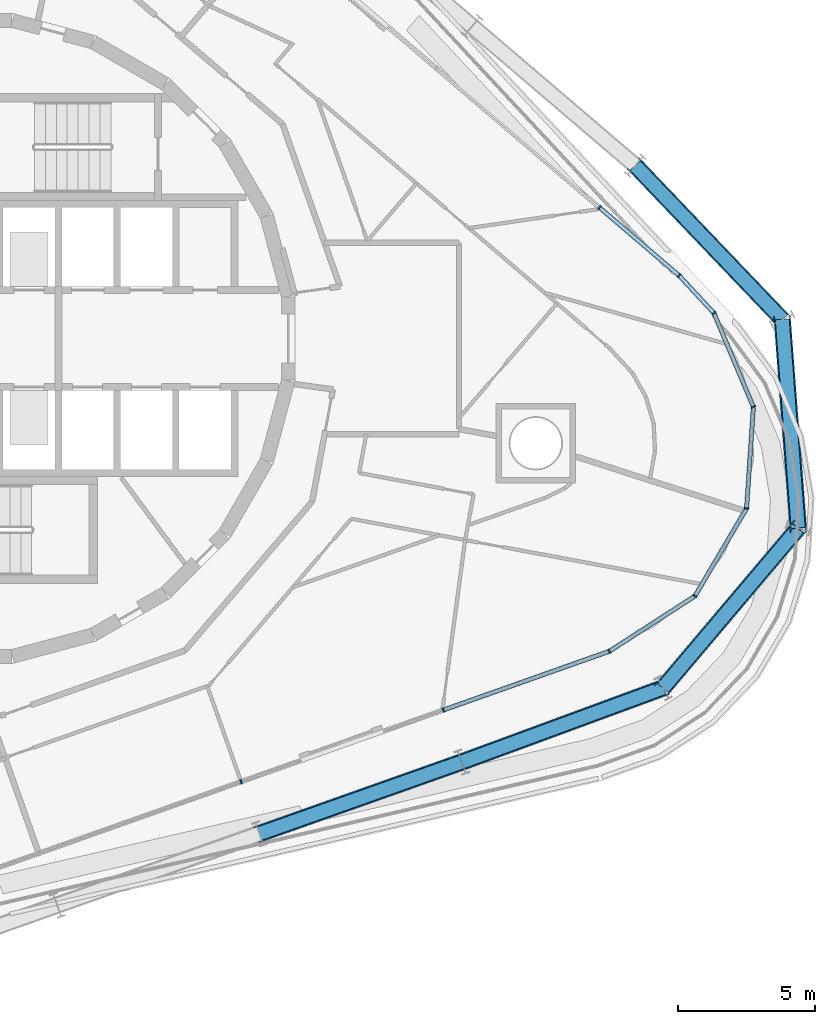
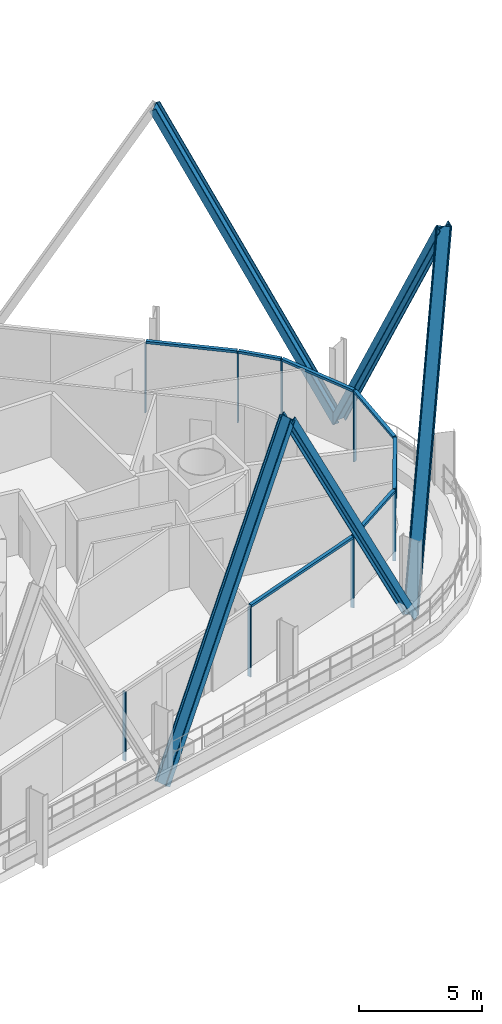
# One storey, part 5 of 25: 21 members, 3 elements without a shape of their own.
"""IFC4 building model written with IfcOpenShell, lengths in metres."""

import ifcopenshell
import ifcopenshell.guid

model = None  # the IFC model being written
_history = None  # IfcOwnerHistory: only IFC2X3 demands one
_inside = {}  # id of a spatial element -> (the spatial element, [elements in it])
_under = {}  # id of a project, library or spatial element -> (it, [spatial elements below it])
_declared = {}  # id of a project -> (the project, [libraries it declares])
_typed = {}  # id of a type object -> (the type object, [elements of that type])
_made_of = {}  # id of a material, layer set ... -> (it, [elements and type objects made of it])


def new_model(schema):
    """Start an empty IFC model of exactly this schema.

    Asked for "IFC4X3", IfcOpenShell would pick the latest addendum, in which some entities
    have other attributes; the version numbers below select the first issue.
    IFC2X3 requires an IfcOwnerHistory on every rooted entity: one is made here for all.
    """
    global model, _history
    if schema == "IFC4X3":
        model = ifcopenshell.file(schema_version=(4, 3, 0, 0))
    else:
        model = ifcopenshell.file(schema=schema)
    _inside.clear()
    _under.clear()
    _declared.clear()
    _typed.clear()
    _made_of.clear()
    _history = None
    if model.schema == "IFC2X3":
        org = make("IfcOrganization", Name="unknown")
        user = make(
            "IfcPersonAndOrganization",
            ThePerson=make("IfcPerson", FamilyName="unknown"),
            TheOrganization=org,
        )
        app = make(
            "IfcApplication",
            ApplicationDeveloper=org,
            Version="unknown",
            ApplicationFullName="unknown",
            ApplicationIdentifier="unknown",
        )
        _history = make(
            "IfcOwnerHistory",
            OwningUser=user,
            OwningApplication=app,
            ChangeAction="ADDED",
            CreationDate=0,
        )
    return model


def make(cls, **values):
    """One entity of the class cls with the attributes given. An attribute that is None is left unset."""
    return model.create_entity(
        cls, **{name: value for name, value in values.items() if value is not None}
    )


def rooted(cls, **values):
    """An entity with a GlobalId (a new one), such as an element, a storey or a relation."""
    return make(cls, GlobalId=ifcopenshell.guid.new(), OwnerHistory=_history, **values)


def si_unit(unit_type, name, prefix=None):
    """IfcSIUnit, for example si_unit("LENGTHUNIT", "METRE", prefix="MILLI")."""
    return make("IfcSIUnit", UnitType=unit_type, Prefix=prefix, Name=name)


def assignment(units):
    """IfcUnitAssignment: the units of a project."""
    return None if units is None else make("IfcUnitAssignment", Units=units)


def point(xyz):
    """IfcCartesianPoint."""
    return None if xyz is None else make("IfcCartesianPoint", Coordinates=xyz)


def direction(xyz):
    """IfcDirection."""
    return None if xyz is None else make("IfcDirection", DirectionRatios=xyz)


def frame(location, z_axis=None, x_axis=None):
    """IfcAxis2Placement3D, a coordinate frame: its origin and axes. An axis left out is left unset."""
    return make(
        "IfcAxis2Placement3D",
        Location=point(location),
        Axis=direction(z_axis),
        RefDirection=direction(x_axis),
    )


def frame_2d(location, x_axis=None):
    """IfcAxis2Placement2D, a coordinate frame in the plane: its origin and x axis."""
    return make(
        "IfcAxis2Placement2D", Location=point(location), RefDirection=direction(x_axis)
    )


def origin():
    """The frame at (0, 0, 0) with its axes left unset."""
    return frame((0.0, 0.0, 0.0))


def origin_2d():
    """The frame at (0, 0) in the plane with its x axis left unset."""
    return frame_2d((0.0, 0.0))


def place(relative_to, where):
    """IfcLocalPlacement: puts the frame where relative to a parent placement (None: the world)."""
    return make(
        "IfcLocalPlacement", PlacementRelTo=relative_to, RelativePlacement=where
    )


def context(
    kind, dimensions, precision=None, world=None, true_north=None, identifier=None
):
    """IfcGeometricRepresentationContext, for example the 3D "Model" context."""
    return make(
        "IfcGeometricRepresentationContext",
        ContextIdentifier=identifier,
        ContextType=kind,
        CoordinateSpaceDimension=dimensions,
        Precision=precision,
        WorldCoordinateSystem=world,
        TrueNorth=true_north,
    )


def subcontext(parent, identifier, kind, view, scale=None):
    """IfcGeometricRepresentationSubContext, for example "Body" below "Model"."""
    return make(
        "IfcGeometricRepresentationSubContext",
        ContextIdentifier=identifier,
        ContextType=kind,
        ParentContext=parent,
        TargetScale=scale,
        TargetView=view,
    )


def project(units=None, contexts=None):
    """IfcProject with its units and contexts."""
    return rooted(
        "IfcProject",
        Name="project",
        RepresentationContexts=contexts,
        UnitsInContext=assignment(units),
    )


def spatial(cls, under=None, at=None, **own):
    """A site, building, storey or space (cls), placed at a placement, below another one or the project."""
    s = rooted(cls, ObjectPlacement=at, **own)
    if under is not None:
        _under.setdefault(under.id(), (under, []))[1].append(s)
    return s


def profile(cls, at=None, kind="AREA", **sizes):
    """A parametric profile (cls). Its sizes go by their IFC names, for example OverallWidth=200.0."""
    return make(cls, ProfileType=kind, Position=at, **sizes)


def rectangle(**sizes):
    """IfcRectangleProfileDef."""
    return profile("IfcRectangleProfileDef", **sizes)


def i_section(**sizes):
    """IfcIShapeProfileDef."""
    return profile("IfcIShapeProfileDef", **sizes)


def extrude(swept, where, along, depth):
    """IfcExtrudedAreaSolid: the profile swept, set in the frame where, extruded along a direction by depth."""
    return make(
        "IfcExtrudedAreaSolid",
        SweptArea=swept,
        Position=where,
        ExtrudedDirection=direction(along),
        Depth=depth,
    )


def shape(context_of_items, identifier, shape_type, items):
    """IfcShapeRepresentation: the items that make up one representation, for example the "Body"."""
    return make(
        "IfcShapeRepresentation",
        ContextOfItems=context_of_items,
        RepresentationIdentifier=identifier,
        RepresentationType=shape_type,
        Items=items,
    )


def material(Name=None, Category=None):
    """IfcMaterial."""
    return make("IfcMaterial", Name=Name, Category=Category)


def layer(
    of_material, thickness, ventilated=None, Name=None, Category=None, Priority=None
):
    """IfcMaterialLayer: one layer of a wall or slab, of a material (None: an air gap)."""
    return make(
        "IfcMaterialLayer",
        Material=of_material,
        LayerThickness=thickness,
        IsVentilated=ventilated,
        Name=Name,
        Category=Category,
        Priority=Priority,
    )


def layer_set(layers, Name=None):
    """IfcMaterialLayerSet."""
    return make("IfcMaterialLayerSet", MaterialLayers=layers, LayerSetName=Name)


def material_profile(
    of_material, cross_section, Name=None, Category=None, Priority=None
):
    """IfcMaterialProfile: a cross section and its material."""
    return make(
        "IfcMaterialProfile",
        Name=Name,
        Material=of_material,
        Profile=cross_section,
        Priority=Priority,
        Category=Category,
    )


def profile_set(profiles, Name=None, composite=None):
    """IfcMaterialProfileSet."""
    return make(
        "IfcMaterialProfileSet",
        Name=Name,
        MaterialProfiles=profiles,
        CompositeProfile=composite,
    )


def made_of(thing, what):
    """Note that an element or type object is made of a material, layer set ...; save() writes the relation."""
    if what is not None:
        _made_of.setdefault(what.id(), (what, []))[1].append(thing)
    return thing


def type_object(cls, material=None, **own):
    """A type object (cls), such as IfcWallType, which elements share."""
    return made_of(rooted(cls, **own), material)


def element(
    cls,
    number,
    at=None,
    inside=None,
    cuts=None,
    type_object=None,
    material=None,
    context=None,
    identifier="Body",
    shape_type=None,
    held_by="IfcProductDefinitionShape",
    body=None,
    shapes=None,
    **own,
):
    """One element of the class cls, such as IfcWall. Its Tag is "e" and its number.

    at: its placement. inside: the storey or other place that contains it. cuts: it is an
    opening in that element (IfcRelVoidsElement). A single representation is given by context,
    identifier, shape_type and body (its items); several are given by shapes. held_by: the class
    of the entity that holds the representations. save() writes the other relations.
    """
    e = rooted(cls, Tag="e%d" % number, ObjectPlacement=at, **own)
    if body is not None:
        shapes = [shape(context, identifier, shape_type, body)]
    if shapes is not None:
        e.Representation = make(held_by, Representations=shapes)
    if inside is not None:
        _inside.setdefault(inside.id(), (inside, []))[1].append(e)
    if cuts is not None:
        rooted(
            "IfcRelVoidsElement", RelatingBuildingElement=cuts, RelatedOpeningElement=e
        )
    if type_object is not None:
        _typed.setdefault(type_object.id(), (type_object, []))[1].append(e)
    return made_of(e, material)


def aggregate(whole, parts):
    """IfcRelAggregates: a whole, such as a stair, and the parts it consists of."""
    return rooted("IfcRelAggregates", RelatingObject=whole, RelatedObjects=parts)


def save(model, path):
    """Write the relations noted so far, then the file.

    IfcRelAggregates (storeys below a building ...), IfcRelContainedInSpatialStructure (elements
    in a storey), IfcRelDefinesByType, IfcRelAssociatesMaterial and IfcRelDeclares: one each for
    every whole, place, type object, material and project.
    """
    for whole, parts in _under.values():
        aggregate(whole, parts)
    for where, things in _inside.values():
        rooted(
            "IfcRelContainedInSpatialStructure",
            RelatedElements=things,
            RelatingStructure=where,
        )
    for kind, things in _typed.values():
        rooted("IfcRelDefinesByType", RelatedObjects=things, RelatingType=kind)
    for what, things in _made_of.values():
        rooted("IfcRelAssociatesMaterial", RelatedObjects=things, RelatingMaterial=what)
    for by, libraries in _declared.values():
        rooted("IfcRelDeclares", RelatingContext=by, RelatedDefinitions=libraries)
    model.write(path)


model = new_model("IFC4")

# Units and contexts
model_context = context("Model", 3, precision=1e-05, world=origin(), true_north=direction((0.0, 1.0)))
body_context = subcontext(model_context, "Body", "Model", "MODEL_VIEW")
ifc_project = project(units=[si_unit("LENGTHUNIT", "METRE"), si_unit("AREAUNIT", "SQUARE_METRE"), si_unit("VOLUMEUNIT", "CUBIC_METRE"), si_unit("PLANEANGLEUNIT", "RADIAN"), si_unit("MASSUNIT", "GRAM", prefix="KILO")], contexts=[model_context])

# Site, building, storey
site_placement = place(None, origin())
site = spatial("IfcSite", under=ifc_project, at=site_placement, CompositionType="ELEMENT")
building_placement = place(site_placement, origin())
building = spatial("IfcBuilding", under=site, at=building_placement, Name="Spindle Arch Residences", CompositionType="ELEMENT")
storey_placement = place(building_placement, frame((0.0, 0.0, 151.699951171875)))
storey = spatial("IfcBuildingStorey", under=building, at=storey_placement, Name="L37", CompositionType="ELEMENT", Elevation=151.699951171875)

# Curtain wall, members
ifc_material_1 = material(Name="Aluminium bronze unitised frame with tinted glass", Category="aluminium")
ifc_layer_1 = layer(ifc_material_1, 0.159912109375)
ifc_layer_set_1 = layer_set([ifc_layer_1], Name="CW-D corner wall on the fillet arcs")
curtain_wall_type_1 = type_object("IfcCurtainWallType", Name="CW-D corner wall on the fillet arcs", PredefinedType="NOTDEFINED", material=ifc_layer_set_1)
curtain_wall_1_placement = place(storey_placement, origin())
curtain_wall_1 = element("IfcCurtainWall", 1, at=curtain_wall_1_placement, inside=storey, type_object=curtain_wall_type_1, Name="CW-D L37 run 1", PredefinedType="NOTDEFINED")
ifc_material_2 = material(Name="Aluminium bronze anodised mullion", Category="aluminium")
ifc_material_profile_1 = material_profile(ifc_material_2, rectangle(XDim=0.159912109375, YDim=0.06005859375, at=origin_2d()), Name="MU 60x160")
ifc_profile_set_1 = profile_set([ifc_material_profile_1], Name="Aluminium bronze anodised mullion")
member_type_1 = type_object("IfcMemberType", Name="Bronze mullion 60x160", PredefinedType="MULLION", material=ifc_profile_set_1)
member_1_placement = place(storey_placement, frame((17.326904296875, -13.609619140625, -0.449951171875), z_axis=(0.0, 0.0, 1.0), x_axis=(-0.333806859234, 0.942641491092, 0.0)))
member_1 = element("IfcMember", 2, at=member_1_placement, type_object=member_type_1, Name="CW-D mullion 00", PredefinedType="MULLION", context=body_context, shape_type="SweptSolid", body=[
    extrude(rectangle(XDim=0.159912109375, YDim=0.06005859375, at=origin_2d()), origin(), (0.0, 0.0, 1.0), 3.449951171875),
])
member_2_placement = place(storey_placement, frame((23.410400390625, -11.45556640625, -0.449951171875), z_axis=(0.0, 0.0, 1.0), x_axis=(-0.542197137778, 0.840251309898, 0.0)))
member_2 = element("IfcMember", 3, at=member_2_placement, type_object=member_type_1, Name="CW-D mullion 01", PredefinedType="MULLION", context=body_context, shape_type="SweptSolid", body=[
    extrude(rectangle(XDim=0.159912109375, YDim=0.06005859375, at=origin_2d()), origin(), (0.0, 0.0, 1.0), 3.449951171875),
])
member_3_placement = place(storey_placement, frame((26.541748046875, -9.434814453125, -0.449951171875), z_axis=(0.0, 0.0, 1.0), x_axis=(-0.86162915882, 0.507538365713, 0.0)))
member_3 = element("IfcMember", 4, at=member_3_placement, type_object=member_type_1, Name="CW-D mullion 02", PredefinedType="MULLION", context=body_context, shape_type="SweptSolid", body=[
    extrude(rectangle(XDim=0.159912109375, YDim=0.06005859375, at=origin_2d()), origin(), (0.0, 0.0, 1.0), 3.449951171875),
])
member_4_placement = place(storey_placement, frame((28.43310546875, -6.223876953125, -0.449951171875), z_axis=(0.0, 0.0, 1.0), x_axis=(-0.997762742461, 0.066854392204, 0.0)))
member_4 = element("IfcMember", 5, at=member_4_placement, type_object=member_type_1, Name="CW-D mullion 03", PredefinedType="MULLION", context=body_context, shape_type="SweptSolid", body=[
    extrude(rectangle(XDim=0.159912109375, YDim=0.06005859375, at=origin_2d()), origin(), (0.0, 0.0, 1.0), 3.449951171875),
])
member_5_placement = place(storey_placement, frame((28.682373046875, -2.50537109375, -0.449951171875), z_axis=(0.0, 0.0, 1.0), x_axis=(-0.921637549195, -0.388051836633, 0.0)))
member_5 = element("IfcMember", 6, at=member_5_placement, type_object=member_type_1, Name="CW-D mullion 04", PredefinedType="MULLION", context=body_context, shape_type="SweptSolid", body=[
    extrude(rectangle(XDim=0.159912109375, YDim=0.06005859375, at=origin_2d()), origin(), (0.0, 0.0, 1.0), 3.449951171875),
])
member_6_placement = place(storey_placement, frame((27.236083984375, 0.929443359375, -0.449951171875), z_axis=(0.0, 0.0, 1.0), x_axis=(-0.733334455983, -0.679868057543, 0.0)))
member_6 = element("IfcMember", 7, at=member_6_placement, type_object=member_type_1, Name="CW-D mullion 05", PredefinedType="MULLION", context=body_context, shape_type="SweptSolid", body=[
    extrude(rectangle(XDim=0.159912109375, YDim=0.06005859375, at=origin_2d()), origin(), (0.0, 0.0, 1.0), 3.449951171875),
])
member_7_placement = place(storey_placement, frame((25.960693359375, 2.30517578125, -0.449951171875), z_axis=(0.0, 0.0, 1.0), x_axis=(-0.64944804833, -0.7604059656, 0.0)))
member_7 = element("IfcMember", 8, at=member_7_placement, type_object=member_type_1, Name="CW-D mullion 06", PredefinedType="MULLION", context=body_context, shape_type="SweptSolid", body=[
    extrude(rectangle(XDim=0.159912109375, YDim=0.06005859375, at=origin_2d()), origin(), (0.0, 0.0, 1.0), 3.449951171875),
])

# Curtain wall, member
ifc_material_3 = material(Name="Aluminium bronze unitised frame with tinted glass", Category="aluminium")
ifc_layer_2 = layer(ifc_material_3, 0.159912109375)
ifc_layer_set_2 = layer_set([ifc_layer_2], Name="CW-C typical residential unitised wall")
curtain_wall_type_2 = type_object("IfcCurtainWallType", Name="CW-C typical residential unitised wall", PredefinedType="NOTDEFINED", material=ifc_layer_set_2)
curtain_wall_2_placement = place(storey_placement, origin())
curtain_wall_2 = element("IfcCurtainWall", 9, at=curtain_wall_2_placement, inside=storey, type_object=curtain_wall_type_2, Name="CW-C L37 run 2", PredefinedType="NOTDEFINED")
member_8_placement = place(storey_placement, frame((23.045654296875, 4.794677734375, -0.449951171875), z_axis=(0.0, 0.0, 1.0), x_axis=(-0.64944804833, -0.7604059656, 0.0)))
member_8 = element("IfcMember", 10, at=member_8_placement, type_object=member_type_1, Name="CW-C mullion 05", PredefinedType="MULLION", context=body_context, shape_type="SweptSolid", body=[
    extrude(rectangle(XDim=0.159912109375, YDim=0.06005859375, at=origin_2d()), origin(), (0.0, 0.0, 1.0), 3.449951171875),
])
aggregate(curtain_wall_2, [member_8])

curtain_wall_3_placement = place(storey_placement, origin())
curtain_wall_3 = element("IfcCurtainWall", 11, at=curtain_wall_3_placement, inside=storey, type_object=curtain_wall_type_2, Name="CW-C L37 run 6", PredefinedType="NOTDEFINED")
member_9_placement = place(storey_placement, frame((9.917724609375, -16.2333984375, -0.449951171875), z_axis=(0.0, 0.0, 1.0), x_axis=(-0.333806859234, 0.942641491092, 0.0)))
member_9 = element("IfcMember", 12, at=member_9_placement, type_object=member_type_1, Name="CW-C mullion 00", PredefinedType="MULLION", context=body_context, shape_type="SweptSolid", body=[
    extrude(rectangle(XDim=0.159912109375, YDim=0.06005859375, at=origin_2d()), origin(), (0.0, 0.0, 1.0), 3.449951171875),
])
aggregate(curtain_wall_3, [member_9])

# Member
ifc_material_4 = material(Name="Aluminium bronze anodised transom", Category="aluminium")
ifc_material_profile_2 = material_profile(ifc_material_4, rectangle(XDim=0.159912109375, YDim=0.1201171875, at=origin_2d()), Name="TR 120x160")
ifc_profile_set_2 = profile_set([ifc_material_profile_2], Name="Aluminium bronze anodised transom")
member_type_2 = type_object("IfcMemberType", Name="Bronze transom 120x160", PredefinedType="USERDEFINED", material=ifc_profile_set_2)
member_10_placement = place(storey_placement, frame((17.355224609375, -13.599609375, 3.06005859375), z_axis=(0.94265075566, 0.333780695748, 0.0), x_axis=(-0.333780695748, 0.94265075566, 0.0)))
member_10 = element("IfcMember", 13, at=member_10_placement, type_object=member_type_2, Name="CW-D transom 00", ObjectType="TRANSOM", PredefinedType="USERDEFINED", context=body_context, shape_type="SweptSolid", body=[
    extrude(rectangle(XDim=0.159912109375, YDim=0.1201171875, at=origin_2d()), origin(), (0.0, 0.0, 1.0), 6.3935546875),
])

member_11_placement = place(storey_placement, frame((23.435546875, -11.439208984375, 3.06005859375), z_axis=(0.840264358641, 0.542176915405, 0.0), x_axis=(-0.542176915405, 0.840264358641, 0.0)))
member_11 = element("IfcMember", 14, at=member_11_placement, type_object=member_type_2, Name="CW-D transom 01", ObjectType="TRANSOM", PredefinedType="USERDEFINED", context=body_context, shape_type="SweptSolid", body=[
    extrude(rectangle(XDim=0.159912109375, YDim=0.1201171875, at=origin_2d()), origin(), (0.0, 0.0, 1.0), 3.666748046875),
])

member_12_placement = place(storey_placement, frame((26.556884765625, -9.408935546875, 3.06005859375), z_axis=(0.507546689055, 0.861624255943, 0.0), x_axis=(-0.861624255943, 0.507546689055, 0.0)))
member_12 = element("IfcMember", 15, at=member_12_placement, type_object=member_type_2, Name="CW-D transom 02", ObjectType="TRANSOM", PredefinedType="USERDEFINED", context=body_context, shape_type="SweptSolid", body=[
    extrude(rectangle(XDim=0.159912109375, YDim=0.1201171875, at=origin_2d()), origin(), (0.0, 0.0, 1.0), 3.666748046875),
])

member_13_placement = place(storey_placement, frame((28.43505859375, -6.19384765625, 3.06005859375), z_axis=(0.066916740455, 0.997758562903, 0.0), x_axis=(-0.997758562903, 0.066916740455, 0.0)))
member_13 = element("IfcMember", 16, at=member_13_placement, type_object=member_type_2, Name="CW-D transom 03", ObjectType="TRANSOM", PredefinedType="USERDEFINED", context=body_context, shape_type="SweptSolid", body=[
    extrude(rectangle(XDim=0.159912109375, YDim=0.1201171875, at=origin_2d()), origin(), (0.0, 0.0, 1.0), 3.666748046875),
])

member_14_placement = place(storey_placement, frame((28.670654296875, -2.477783203125, 3.06005859375), z_axis=(-0.388045093438, 0.921640388361, 0.0), x_axis=(-0.921640388361, -0.388045093438, 0.0)))
member_14 = element("IfcMember", 17, at=member_14_placement, type_object=member_type_2, Name="CW-D transom 04", ObjectType="TRANSOM", PredefinedType="USERDEFINED", context=body_context, shape_type="SweptSolid", body=[
    extrude(rectangle(XDim=0.159912109375, YDim=0.1201171875, at=origin_2d()), origin(), (0.0, 0.0, 1.0), 3.666748046875),
])

member_15_placement = place(storey_placement, frame((27.2158203125, 0.951416015625, 3.06005859375), z_axis=(-0.679919851258, 0.733286435075, 0.0), x_axis=(-0.733286435075, -0.679919851258, 0.0)))
member_15 = element("IfcMember", 18, at=member_15_placement, type_object=member_type_2, Name="CW-D transom 05", ObjectType="TRANSOM", PredefinedType="USERDEFINED", context=body_context, shape_type="SweptSolid", body=[
    extrude(rectangle(XDim=0.159912109375, YDim=0.1201171875, at=origin_2d()), origin(), (0.0, 0.0, 1.0), 1.816162109375),
])

member_16_placement = place(storey_placement, frame((25.937744140625, 2.32470703125, 3.06005859375), z_axis=(-0.76037900371, 0.64947961532, 0.0), x_axis=(-0.64947961532, -0.76037900371, 0.0)))
member_16 = element("IfcMember", 19, at=member_16_placement, type_object=member_type_2, Name="CW-D transom 06", ObjectType="TRANSOM", PredefinedType="USERDEFINED", context=body_context, shape_type="SweptSolid", body=[
    extrude(rectangle(XDim=0.159912109375, YDim=0.1201171875, at=origin_2d()), origin(), (0.0, 0.0, 1.0), 3.773193359375),
])

aggregate(curtain_wall_1, [member_1, member_10, member_2, member_11, member_3, member_12, member_4, member_13, member_5, member_14, member_6, member_15, member_7, member_16])

# Members
ifc_material_5 = material(Name="Steel S460ML, intumescent coating R 240", Category="steel")
ifc_material_profile_3 = material_profile(ifc_material_5, i_section(OverallWidth=0.304931640625, OverallDepth=0.6201171875, WebThickness=0.02099609375, FlangeThickness=0.0400390625, FilletRadius=0.027099609375, at=origin_2d()), Name="HEM 600")
ifc_profile_set_3 = profile_set([ifc_material_profile_3], Name="Steel S460ML, intumescent coating R 240")
member_type_3 = type_object("IfcMemberType", Name="Diagrid diagonal HEM 600", PredefinedType="BRACE", material=ifc_profile_set_3)
member_17_placement = place(storey_placement, frame((10.592041015625, -18.1376953125, -0.699951171875), z_axis=(0.459721557889, 0.162799116338, 0.873013480384), x_axis=(-0.822936940791, -0.291422937349, 0.487696076536)))
element("IfcMember", 20, at=member_17_placement, inside=storey, type_object=member_type_3, Name="Diagrid diagonal 4.1.1", PredefinedType="BRACE", context=body_context, shape_type="SweptSolid", body=[
    extrude(i_section(OverallWidth=0.304931640625, OverallDepth=0.6201171875, WebThickness=0.02099609375, FlangeThickness=0.0400390625, FilletRadius=0.027099609375, at=origin_2d()), origin(), (0.0, 0.0, 1.0), 16.11669921875),
])
member_18_placement = place(storey_placement, frame((25.37353515625, -12.79931640625, -0.699951171875), z_axis=(-0.457487080577, -0.168453781798, 0.873114479609), x_axis=(0.819335611795, 0.301691978261, 0.487515236169)))
element("IfcMember", 21, at=member_18_placement, inside=storey, type_object=member_type_3, Name="Diagrid diagonal 4.1.2", PredefinedType="BRACE", context=body_context, shape_type="SweptSolid", body=[
    extrude(i_section(OverallWidth=0.304931640625, OverallDepth=0.6201171875, WebThickness=0.02099609375, FlangeThickness=0.0400390625, FilletRadius=0.027099609375, at=origin_2d()), origin(), (0.0, 0.0, 1.0), 16.11474609375),
])
for number, where, z_axis, x_axis, name in (
    (22, (25.37353515625, -12.79931640625, -0.699951171875), (0.308894075166, 0.365184081266, 0.878194191006), (-0.567147329571, -0.670499025858, 0.478304257647), "Diagrid diagonal 4.1.3"),
    (23, (29.739501953125, 0.6923828125, -0.699951171875), (0.036389009585, -0.476912409119, 0.878197240948), (-0.066813333681, 0.875651969935, 0.478298657735), "Diagrid diagonal 4.1.4"),
):
    element("IfcMember", number, at=place(storey_placement, frame(where, z_axis=z_axis, x_axis=x_axis)), inside=storey, type_object=member_type_3, Name=name, PredefinedType="BRACE", context=body_context, shape_type="SweptSolid", body=[
        extrude(i_section(OverallWidth=0.304931640625, OverallDepth=0.6201171875, WebThickness=0.02099609375, FlangeThickness=0.0400390625, FilletRadius=0.027099609375, at=origin_2d()), origin(), (0.0, 0.0, 1.0), 16.021484375),
    ])
member_19_placement = place(storey_placement, frame((29.739501953125, 0.6923828125, -0.699951171875), z_axis=(-0.334590080881, 0.350542456812, 0.874739654839), x_axis=(0.60396892192, -0.632764573205, 0.484593165709)))
element("IfcMember", 24, at=member_19_placement, inside=storey, type_object=member_type_3, Name="Diagrid diagonal 4.1.5", PredefinedType="BRACE", context=body_context, shape_type="SweptSolid", body=[
    extrude(i_section(OverallWidth=0.304931640625, OverallDepth=0.6201171875, WebThickness=0.02099609375, FlangeThickness=0.0400390625, FilletRadius=0.027099609375, at=origin_2d()), origin(), (0.0, 0.0, 1.0), 16.0849609375),
])

save(model, "model.ifc")
